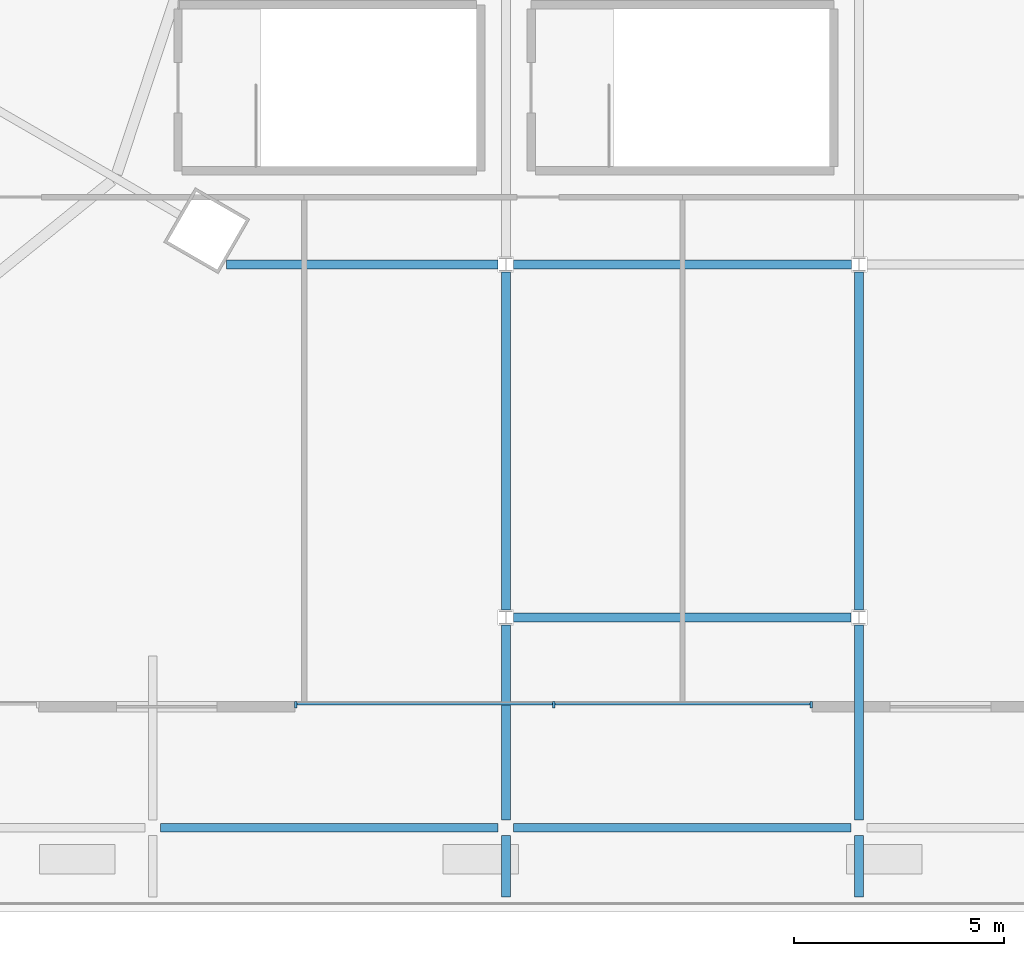
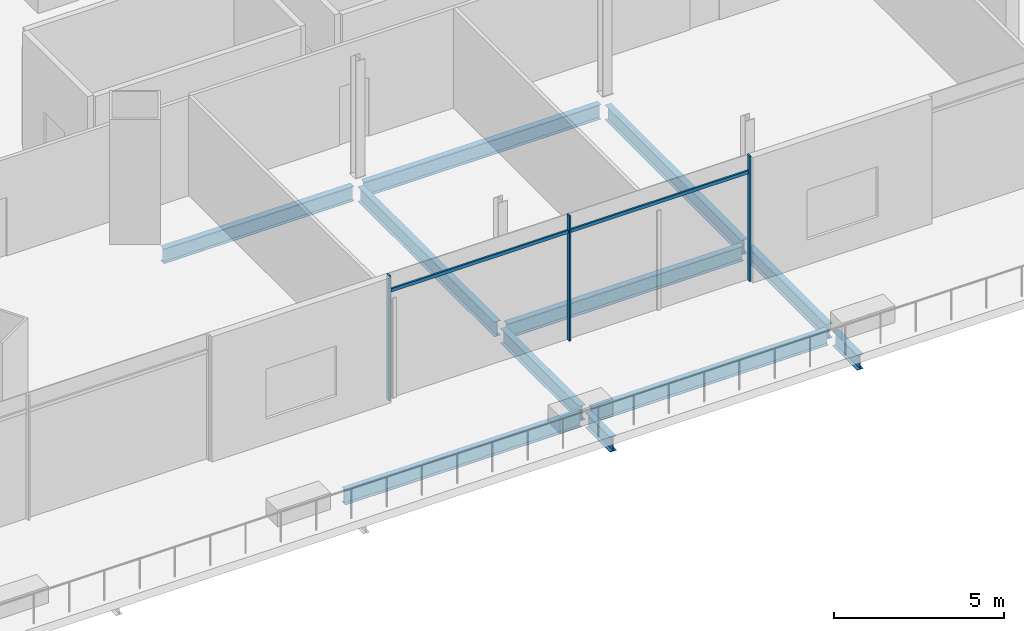
# One storey, part 13 of 49: 11 beams, 5 members, 1 element without a shape of its own.
"""IFC4 building model written with IfcOpenShell, lengths in metres."""

import ifcopenshell
import ifcopenshell.guid

model = None  # the IFC model being written
_history = None  # IfcOwnerHistory: only IFC2X3 demands one
_inside = {}  # id of a spatial element -> (the spatial element, [elements in it])
_under = {}  # id of a project, library or spatial element -> (it, [spatial elements below it])
_declared = {}  # id of a project -> (the project, [libraries it declares])
_typed = {}  # id of a type object -> (the type object, [elements of that type])
_made_of = {}  # id of a material, layer set ... -> (it, [elements and type objects made of it])


def new_model(schema):
    """Start an empty IFC model of exactly this schema.

    Asked for "IFC4X3", IfcOpenShell would pick the latest addendum, in which some entities
    have other attributes; the version numbers below select the first issue.
    IFC2X3 requires an IfcOwnerHistory on every rooted entity: one is made here for all.
    """
    global model, _history
    if schema == "IFC4X3":
        model = ifcopenshell.file(schema_version=(4, 3, 0, 0))
    else:
        model = ifcopenshell.file(schema=schema)
    _inside.clear()
    _under.clear()
    _declared.clear()
    _typed.clear()
    _made_of.clear()
    _history = None
    if model.schema == "IFC2X3":
        org = make("IfcOrganization", Name="unknown")
        user = make(
            "IfcPersonAndOrganization",
            ThePerson=make("IfcPerson", FamilyName="unknown"),
            TheOrganization=org,
        )
        app = make(
            "IfcApplication",
            ApplicationDeveloper=org,
            Version="unknown",
            ApplicationFullName="unknown",
            ApplicationIdentifier="unknown",
        )
        _history = make(
            "IfcOwnerHistory",
            OwningUser=user,
            OwningApplication=app,
            ChangeAction="ADDED",
            CreationDate=0,
        )
    return model


def make(cls, **values):
    """One entity of the class cls with the attributes given. An attribute that is None is left unset."""
    return model.create_entity(
        cls, **{name: value for name, value in values.items() if value is not None}
    )


def rooted(cls, **values):
    """An entity with a GlobalId (a new one), such as an element, a storey or a relation."""
    return make(cls, GlobalId=ifcopenshell.guid.new(), OwnerHistory=_history, **values)


def si_unit(unit_type, name, prefix=None):
    """IfcSIUnit, for example si_unit("LENGTHUNIT", "METRE", prefix="MILLI")."""
    return make("IfcSIUnit", UnitType=unit_type, Prefix=prefix, Name=name)


def assignment(units):
    """IfcUnitAssignment: the units of a project."""
    return None if units is None else make("IfcUnitAssignment", Units=units)


def point(xyz):
    """IfcCartesianPoint."""
    return None if xyz is None else make("IfcCartesianPoint", Coordinates=xyz)


def direction(xyz):
    """IfcDirection."""
    return None if xyz is None else make("IfcDirection", DirectionRatios=xyz)


def frame(location, z_axis=None, x_axis=None):
    """IfcAxis2Placement3D, a coordinate frame: its origin and axes. An axis left out is left unset."""
    return make(
        "IfcAxis2Placement3D",
        Location=point(location),
        Axis=direction(z_axis),
        RefDirection=direction(x_axis),
    )


def frame_2d(location, x_axis=None):
    """IfcAxis2Placement2D, a coordinate frame in the plane: its origin and x axis."""
    return make(
        "IfcAxis2Placement2D", Location=point(location), RefDirection=direction(x_axis)
    )


def origin():
    """The frame at (0, 0, 0) with its axes left unset."""
    return frame((0.0, 0.0, 0.0))


def origin_2d():
    """The frame at (0, 0) in the plane with its x axis left unset."""
    return frame_2d((0.0, 0.0))


def place(relative_to, where):
    """IfcLocalPlacement: puts the frame where relative to a parent placement (None: the world)."""
    return make(
        "IfcLocalPlacement", PlacementRelTo=relative_to, RelativePlacement=where
    )


def context(
    kind, dimensions, precision=None, world=None, true_north=None, identifier=None
):
    """IfcGeometricRepresentationContext, for example the 3D "Model" context."""
    return make(
        "IfcGeometricRepresentationContext",
        ContextIdentifier=identifier,
        ContextType=kind,
        CoordinateSpaceDimension=dimensions,
        Precision=precision,
        WorldCoordinateSystem=world,
        TrueNorth=true_north,
    )


def subcontext(parent, identifier, kind, view, scale=None):
    """IfcGeometricRepresentationSubContext, for example "Body" below "Model"."""
    return make(
        "IfcGeometricRepresentationSubContext",
        ContextIdentifier=identifier,
        ContextType=kind,
        ParentContext=parent,
        TargetScale=scale,
        TargetView=view,
    )


def project(units=None, contexts=None):
    """IfcProject with its units and contexts."""
    return rooted(
        "IfcProject",
        Name="project",
        RepresentationContexts=contexts,
        UnitsInContext=assignment(units),
    )


def spatial(cls, under=None, at=None, **own):
    """A site, building, storey or space (cls), placed at a placement, below another one or the project."""
    s = rooted(cls, ObjectPlacement=at, **own)
    if under is not None:
        _under.setdefault(under.id(), (under, []))[1].append(s)
    return s


def profile(cls, at=None, kind="AREA", **sizes):
    """A parametric profile (cls). Its sizes go by their IFC names, for example OverallWidth=200.0."""
    return make(cls, ProfileType=kind, Position=at, **sizes)


def rectangle(**sizes):
    """IfcRectangleProfileDef."""
    return profile("IfcRectangleProfileDef", **sizes)


def i_section(**sizes):
    """IfcIShapeProfileDef."""
    return profile("IfcIShapeProfileDef", **sizes)


def extrude(swept, where, along, depth):
    """IfcExtrudedAreaSolid: the profile swept, set in the frame where, extruded along a direction by depth."""
    return make(
        "IfcExtrudedAreaSolid",
        SweptArea=swept,
        Position=where,
        ExtrudedDirection=direction(along),
        Depth=depth,
    )


def shape(context_of_items, identifier, shape_type, items):
    """IfcShapeRepresentation: the items that make up one representation, for example the "Body"."""
    return make(
        "IfcShapeRepresentation",
        ContextOfItems=context_of_items,
        RepresentationIdentifier=identifier,
        RepresentationType=shape_type,
        Items=items,
    )


def material(Name=None, Category=None):
    """IfcMaterial."""
    return make("IfcMaterial", Name=Name, Category=Category)


def material_profile(
    of_material, cross_section, Name=None, Category=None, Priority=None
):
    """IfcMaterialProfile: a cross section and its material."""
    return make(
        "IfcMaterialProfile",
        Name=Name,
        Material=of_material,
        Profile=cross_section,
        Priority=Priority,
        Category=Category,
    )


def profile_set(profiles, Name=None, composite=None):
    """IfcMaterialProfileSet."""
    return make(
        "IfcMaterialProfileSet",
        Name=Name,
        MaterialProfiles=profiles,
        CompositeProfile=composite,
    )


def made_of(thing, what):
    """Note that an element or type object is made of a material, layer set ...; save() writes the relation."""
    if what is not None:
        _made_of.setdefault(what.id(), (what, []))[1].append(thing)
    return thing


def type_object(cls, material=None, **own):
    """A type object (cls), such as IfcWallType, which elements share."""
    return made_of(rooted(cls, **own), material)


def element(
    cls,
    number,
    at=None,
    inside=None,
    cuts=None,
    type_object=None,
    material=None,
    context=None,
    identifier="Body",
    shape_type=None,
    held_by="IfcProductDefinitionShape",
    body=None,
    shapes=None,
    **own,
):
    """One element of the class cls, such as IfcWall. Its Tag is "e" and its number.

    at: its placement. inside: the storey or other place that contains it. cuts: it is an
    opening in that element (IfcRelVoidsElement). A single representation is given by context,
    identifier, shape_type and body (its items); several are given by shapes. held_by: the class
    of the entity that holds the representations. save() writes the other relations.
    """
    e = rooted(cls, Tag="e%d" % number, ObjectPlacement=at, **own)
    if body is not None:
        shapes = [shape(context, identifier, shape_type, body)]
    if shapes is not None:
        e.Representation = make(held_by, Representations=shapes)
    if inside is not None:
        _inside.setdefault(inside.id(), (inside, []))[1].append(e)
    if cuts is not None:
        rooted(
            "IfcRelVoidsElement", RelatingBuildingElement=cuts, RelatedOpeningElement=e
        )
    if type_object is not None:
        _typed.setdefault(type_object.id(), (type_object, []))[1].append(e)
    return made_of(e, material)


def aggregate(whole, parts):
    """IfcRelAggregates: a whole, such as a stair, and the parts it consists of."""
    return rooted("IfcRelAggregates", RelatingObject=whole, RelatedObjects=parts)


def save(model, path):
    """Write the relations noted so far, then the file.

    IfcRelAggregates (storeys below a building ...), IfcRelContainedInSpatialStructure (elements
    in a storey), IfcRelDefinesByType, IfcRelAssociatesMaterial and IfcRelDeclares: one each for
    every whole, place, type object, material and project.
    """
    for whole, parts in _under.values():
        aggregate(whole, parts)
    for where, things in _inside.values():
        rooted(
            "IfcRelContainedInSpatialStructure",
            RelatedElements=things,
            RelatingStructure=where,
        )
    for kind, things in _typed.values():
        rooted("IfcRelDefinesByType", RelatedObjects=things, RelatingType=kind)
    for what, things in _made_of.values():
        rooted("IfcRelAssociatesMaterial", RelatedObjects=things, RelatingMaterial=what)
    for by, libraries in _declared.values():
        rooted("IfcRelDeclares", RelatingContext=by, RelatedDefinitions=libraries)
    model.write(path)


model = new_model("IFC4")

# Units and contexts
model_context = context("Model", 3, precision=1e-05, world=origin(), true_north=direction((0.0, 1.0)))
body_context = subcontext(model_context, "Body", "Model", "MODEL_VIEW")
ifc_project = project(units=[si_unit("LENGTHUNIT", "METRE"), si_unit("AREAUNIT", "SQUARE_METRE"), si_unit("VOLUMEUNIT", "CUBIC_METRE"), si_unit("PLANEANGLEUNIT", "RADIAN"), si_unit("MASSUNIT", "GRAM", prefix="KILO")], contexts=[model_context])

# Site, building, storey
site_placement = place(None, origin())
site = spatial("IfcSite", under=ifc_project, at=site_placement, CompositionType="ELEMENT")
building_placement = place(site_placement, origin())
building = spatial("IfcBuilding", under=site, at=building_placement, Name="Rimbun Link Towers", CompositionType="ELEMENT")
storey_placement = place(building_placement, frame((0.0, 0.0, 25.5)))
storey = spatial("IfcBuildingStorey", under=building, at=storey_placement, Name="L05", CompositionType="ELEMENT", Elevation=25.5)

# Curtain wall, members
ifc_material_1 = material(Name="Aluminium 6063-T6 and low-iron glass", Category="aluminium")
curtain_wall_type = type_object("IfcCurtainWallType", Name="CW3 podium shopfront", PredefinedType="NOTDEFINED", material=ifc_material_1)
curtain_wall_placement = place(storey_placement, origin())
curtain_wall = element("IfcCurtainWall", 1, at=curtain_wall_placement, inside=storey, type_object=curtain_wall_type, Name="CW3 L05 PD", PredefinedType="NOTDEFINED")
ifc_material_2 = material(Name="Aluminium 6063-T6", Category="aluminium")
ifc_material_profile_1 = material_profile(ifc_material_2, rectangle(XDim=0.14990234375, YDim=0.06005859375, at=origin_2d()), Name="MULLION 60X150")
ifc_profile_set_1 = profile_set([ifc_material_profile_1], Name="Aluminium 6063-T6")
member_type_1 = type_object("IfcMemberType", Name="CW3 mullion 60X150", PredefinedType="MULLION", material=ifc_profile_set_1)
member_1_placement = place(storey_placement, frame((-9.199951171875, -23.074951171875, 0.0), z_axis=(0.0, 0.0, 1.0), x_axis=(0.0, -1.0, 0.0)))
member_1 = element("IfcMember", 2, at=member_1_placement, type_object=member_type_1, Name="CW3 mullion", PredefinedType="MULLION", context=body_context, shape_type="SweptSolid", body=[
    extrude(rectangle(XDim=0.14990234375, YDim=0.06005859375, at=origin_2d()), origin(), (0.0, 0.0, 1.0), 4.5),
])
member_2_placement = place(storey_placement, frame((-3.066650390625, -23.074951171875, 0.0), z_axis=(0.0, 0.0, 1.0), x_axis=(0.0, -1.0, 0.0)))
member_2 = element("IfcMember", 3, at=member_2_placement, type_object=member_type_1, Name="CW3 mullion", PredefinedType="MULLION", context=body_context, shape_type="SweptSolid", body=[
    extrude(rectangle(XDim=0.14990234375, YDim=0.06005859375, at=origin_2d()), origin(), (0.0, 0.0, 1.0), 4.5),
])
member_3_placement = place(storey_placement, frame((3.066650390625, -23.074951171875, 0.0), z_axis=(0.0, 0.0, 1.0), x_axis=(0.0, -1.0, 0.0)))
member_3 = element("IfcMember", 4, at=member_3_placement, type_object=member_type_1, Name="CW3 mullion", PredefinedType="MULLION", context=body_context, shape_type="SweptSolid", body=[
    extrude(rectangle(XDim=0.14990234375, YDim=0.06005859375, at=origin_2d()), origin(), (0.0, 0.0, 1.0), 4.5),
])
ifc_material_3 = material(Name="Aluminium 6063-T6", Category="aluminium")
ifc_material_profile_2 = material_profile(ifc_material_3, rectangle(XDim=0.06005859375, YDim=0.1201171875, at=origin_2d()), Name="TRANSOM 60X120")
ifc_profile_set_2 = profile_set([ifc_material_profile_2], Name="Aluminium 6063-T6")
member_type_2 = type_object("IfcMemberType", Name="CW3 transom 60X120", PredefinedType="USERDEFINED", material=ifc_profile_set_2)
member_4_placement = place(storey_placement, frame((-3.0966796875, -23.053955078125, 3.89990234375), z_axis=(-1.0, 0.0, 0.0), x_axis=(0.0, -1.0, 0.0)))
member_4 = element("IfcMember", 5, at=member_4_placement, type_object=member_type_2, Name="CW3 transom", ObjectType="TRANSOM", PredefinedType="USERDEFINED", context=body_context, shape_type="SweptSolid", body=[
    extrude(rectangle(XDim=0.06005859375, YDim=0.1201171875, at=origin_2d()), origin(), (0.0, 0.0, 1.0), 6.0732421875),
])
member_5_placement = place(storey_placement, frame((3.03662109375, -23.053955078125, 3.89990234375), z_axis=(-1.0, 0.0, 0.0), x_axis=(0.0, -1.0, 0.0)))
member_5 = element("IfcMember", 6, at=member_5_placement, type_object=member_type_2, Name="CW3 transom", ObjectType="TRANSOM", PredefinedType="USERDEFINED", context=body_context, shape_type="SweptSolid", body=[
    extrude(rectangle(XDim=0.06005859375, YDim=0.1201171875, at=origin_2d()), origin(), (0.0, 0.0, 1.0), 6.0732421875),
])
aggregate(curtain_wall, [member_1, member_2, member_3, member_4, member_5])

# Beams
ifc_material_4 = material(Name="Steel S355J2", Category="steel")
ifc_material_profile_3 = material_profile(ifc_material_4, i_section(OverallWidth=0.209228515625, OverallDepth=0.533203125, WebThickness=0.010009765625, FlangeThickness=0.015625, at=origin_2d()), Name="UB 533x210x92")
ifc_profile_set_3 = profile_set([ifc_material_profile_3], Name="Steel S355J2")
beam_type = type_object("IfcBeamType", Name="UB 533x210x92", PredefinedType="BEAM", material=ifc_profile_set_3)
beam_1_placement = place(storey_placement, frame((-12.414794921875, -26.0, -0.56640625), z_axis=(1.0, 0.0, 0.0), x_axis=(0.0, 1.0, 0.0)))
element("IfcBeam", 7, at=beam_1_placement, inside=storey, type_object=beam_type, Name="Grid beam L05 -26.0", PredefinedType="BEAM", context=body_context, shape_type="SweptSolid", body=[
    extrude(i_section(OverallWidth=0.209228515625, OverallDepth=0.533203125, WebThickness=0.010009765625, FlangeThickness=0.015625, at=origin_2d()), origin(), (0.0, 0.0, 1.0), 8.029541015625),
])
for number, where, z_axis, x_axis, name in (
    (8, (-4.0146484375, -26.0, -0.56640625), (1.0, 0.0, 0.0), (0.0, 1.0, 0.0), "Grid beam L05 -26.0"),
    (9, (-4.0146484375, -21.0, -0.56640625), (1.0, 0.0, 0.0), (0.0, 1.0, 0.0), "Grid beam L05 -21.0"),
):
    element("IfcBeam", number, at=place(storey_placement, frame(where, z_axis=z_axis, x_axis=x_axis)), inside=storey, type_object=beam_type, Name=name, PredefinedType="BEAM", context=body_context, shape_type="SweptSolid", body=[
        extrude(i_section(OverallWidth=0.209228515625, OverallDepth=0.533203125, WebThickness=0.010009765625, FlangeThickness=0.015625, at=origin_2d()), origin(), (0.0, 0.0, 1.0), 8.029296875),
    ])
beam_2_placement = place(storey_placement, frame((-10.846923828125, -12.60009765625, -0.56640625), z_axis=(1.0, 0.0, 0.0), x_axis=(0.0, 1.0, 0.0)))
element("IfcBeam", 10, at=beam_2_placement, inside=storey, type_object=beam_type, Name="Grid beam L05 -12.6", PredefinedType="BEAM", context=body_context, shape_type="SweptSolid", body=[
    extrude(i_section(OverallWidth=0.209228515625, OverallDepth=0.533203125, WebThickness=0.010009765625, FlangeThickness=0.015625, at=origin_2d()), origin(), (0.0, 0.0, 1.0), 6.461669921875),
])
beam_3_placement = place(storey_placement, frame((-4.014892578125, -12.60009765625, -0.56640625), z_axis=(1.0, 0.0, 0.0), x_axis=(0.0, 1.0, 0.0)))
element("IfcBeam", 11, at=beam_3_placement, inside=storey, type_object=beam_type, Name="Grid beam L05 -12.6", PredefinedType="BEAM", context=body_context, shape_type="SweptSolid", body=[
    extrude(i_section(OverallWidth=0.209228515625, OverallDepth=0.533203125, WebThickness=0.010009765625, FlangeThickness=0.015625, at=origin_2d()), origin(), (0.0, 0.0, 1.0), 8.02978515625),
])
beam_4_placement = place(storey_placement, frame((-4.199951171875, -27.64892578125, -0.56640625), z_axis=(0.0, 1.0, 0.0), x_axis=(-1.0, 0.0, 0.0)))
element("IfcBeam", 12, at=beam_4_placement, inside=storey, type_object=beam_type, Name="Grid beam L05 -4.2", PredefinedType="BEAM", context=body_context, shape_type="SweptSolid", body=[
    extrude(i_section(OverallWidth=0.209228515625, OverallDepth=0.533203125, WebThickness=0.010009765625, FlangeThickness=0.015625, at=origin_2d()), origin(), (0.0, 0.0, 1.0), 1.468017578125),
])
beam_5_placement = place(storey_placement, frame((-4.199951171875, -25.819091796875, -0.56640625), z_axis=(0.0, 1.0, 0.0), x_axis=(-1.0, 0.0, 0.0)))
element("IfcBeam", 13, at=beam_5_placement, inside=storey, type_object=beam_type, Name="Grid beam L05 -4.2", PredefinedType="BEAM", context=body_context, shape_type="SweptSolid", body=[
    extrude(i_section(OverallWidth=0.209228515625, OverallDepth=0.533203125, WebThickness=0.010009765625, FlangeThickness=0.015625, at=origin_2d()), origin(), (0.0, 0.0, 1.0), 4.63818359375),
])
beam_6_placement = place(storey_placement, frame((-4.199951171875, -20.819091796875, -0.56640625), z_axis=(0.0, 1.0, 0.0), x_axis=(-1.0, 0.0, 0.0)))
element("IfcBeam", 14, at=beam_6_placement, inside=storey, type_object=beam_type, Name="Grid beam L05 -4.2", PredefinedType="BEAM", context=body_context, shape_type="SweptSolid", body=[
    extrude(i_section(OverallWidth=0.209228515625, OverallDepth=0.533203125, WebThickness=0.010009765625, FlangeThickness=0.015625, at=origin_2d()), origin(), (0.0, 0.0, 1.0), 8.0380859375),
])
beam_7_placement = place(storey_placement, frame((4.199951171875, -27.64892578125, -0.56640625), z_axis=(0.0, 1.0, 0.0), x_axis=(-1.0, 0.0, 0.0)))
element("IfcBeam", 15, at=beam_7_placement, inside=storey, type_object=beam_type, Name="Grid beam L05 +4.2", PredefinedType="BEAM", context=body_context, shape_type="SweptSolid", body=[
    extrude(i_section(OverallWidth=0.209228515625, OverallDepth=0.533203125, WebThickness=0.010009765625, FlangeThickness=0.015625, at=origin_2d()), origin(), (0.0, 0.0, 1.0), 1.468017578125),
])
beam_8_placement = place(storey_placement, frame((4.199951171875, -25.819091796875, -0.56640625), z_axis=(0.0, 1.0, 0.0), x_axis=(-1.0, 0.0, 0.0)))
element("IfcBeam", 16, at=beam_8_placement, inside=storey, type_object=beam_type, Name="Grid beam L05 +4.2", PredefinedType="BEAM", context=body_context, shape_type="SweptSolid", body=[
    extrude(i_section(OverallWidth=0.209228515625, OverallDepth=0.533203125, WebThickness=0.010009765625, FlangeThickness=0.015625, at=origin_2d()), origin(), (0.0, 0.0, 1.0), 4.63818359375),
])
beam_9_placement = place(storey_placement, frame((4.199951171875, -20.819091796875, -0.56640625), z_axis=(0.0, 1.0, 0.0), x_axis=(-1.0, 0.0, 0.0)))
element("IfcBeam", 17, at=beam_9_placement, inside=storey, type_object=beam_type, Name="Grid beam L05 +4.2", PredefinedType="BEAM", context=body_context, shape_type="SweptSolid", body=[
    extrude(i_section(OverallWidth=0.209228515625, OverallDepth=0.533203125, WebThickness=0.010009765625, FlangeThickness=0.015625, at=origin_2d()), origin(), (0.0, 0.0, 1.0), 8.0380859375),
])

save(model, "model.ifc")
